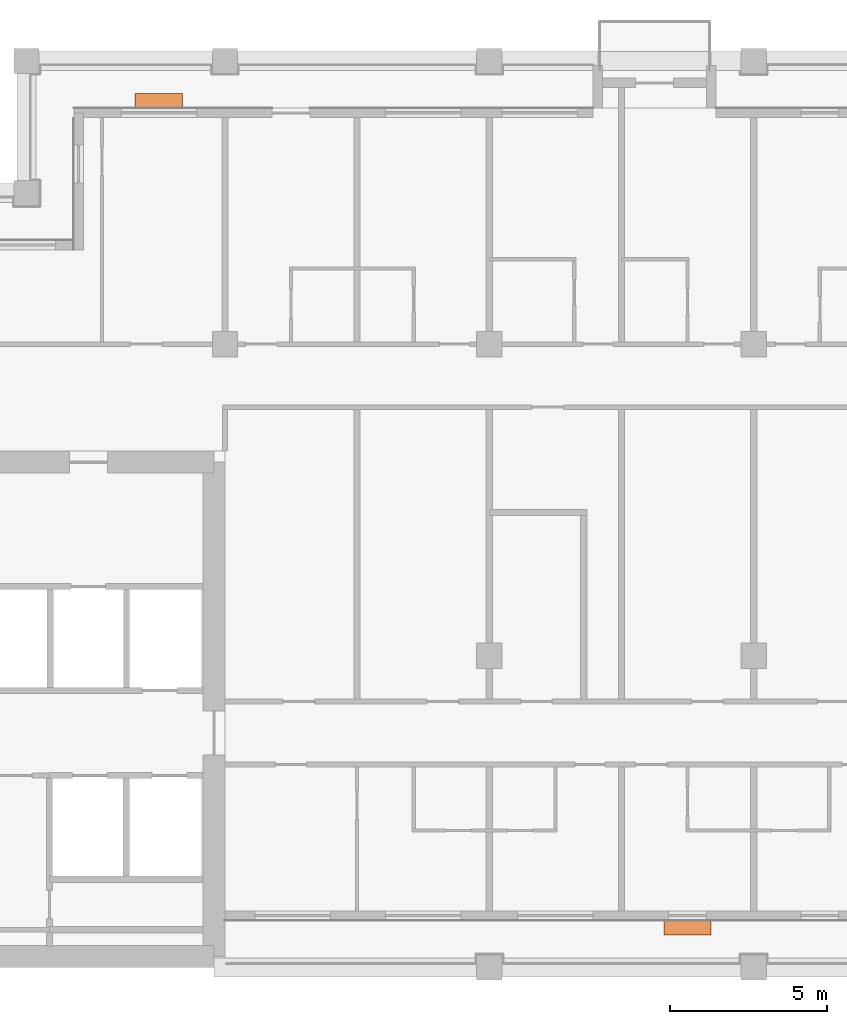
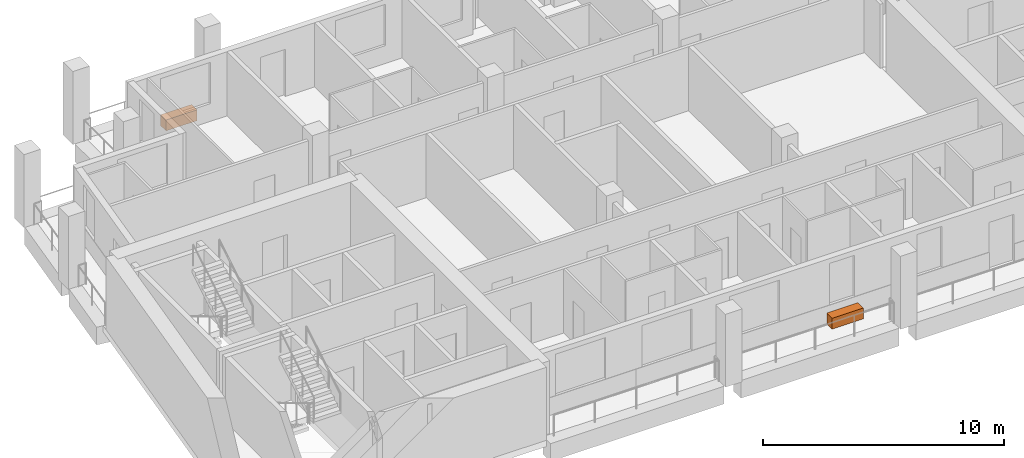
# One storey, part 10 of 10: 2 proxies.
"""IFC4 building model written with IfcOpenShell, lengths in metres."""

from ifc_helpers import new_model, si_unit, direction, frame, origin, origin_2d, place, context, subcontext, project, spatial, rectangle, extrude, element, save


model = new_model("IFC4")

# Units and contexts
model_context = context("Model", 3, precision=1e-05, world=origin(), true_north=direction((0.0, 1.0)))
body_context = subcontext(model_context, "Body", "Model", "MODEL_VIEW")
ifc_project = project(units=[si_unit("LENGTHUNIT", "METRE"), si_unit("AREAUNIT", "SQUARE_METRE"), si_unit("VOLUMEUNIT", "CUBIC_METRE"), si_unit("PLANEANGLEUNIT", "RADIAN"), si_unit("MASSUNIT", "GRAM", prefix="KILO")], contexts=[model_context])

# Site, building, storey
site_placement = place(None, origin())
site = spatial("IfcSite", under=ifc_project, at=site_placement, CompositionType="ELEMENT")
building_placement = place(site_placement, origin())
building = spatial("IfcBuilding", under=site, at=building_placement, Name="Candeia Pilgrim Tower and Theatre", CompositionType="ELEMENT")
storey_placement = place(building_placement, frame((0.0, 0.0, 299.699951171875)))
storey = spatial("IfcBuildingStorey", under=building, at=storey_placement, Name="L73", CompositionType="ELEMENT", Elevation=299.699951171875)

# Proxies
for number, where, z_axis, x_axis, name in (
    (1, (115.5, 117.2548828125, 0.0), (0.0, 0.0, 1.0), (1.0, 0.0, 0.0), "Planter"),
    (2, (98.699951171875, 143.544921875, 0.0), (0.0, 0.0, 1.0), (-1.0, 0.0, 0.0), "Planter"),
):
    element("IfcBuildingElementProxy", number, at=place(storey_placement, frame(where, z_axis=z_axis, x_axis=x_axis)), inside=storey, Name=name, ObjectType="PLANTER", PredefinedType="USERDEFINED", context=body_context, shape_type="SweptSolid", body=[
        extrude(rectangle(XDim=1.5, YDim=0.449951171875, at=origin_2d()), origin(), (0.0, 0.0, 1.0), 0.550048828125),
    ])

save(model, "model.ifc")
